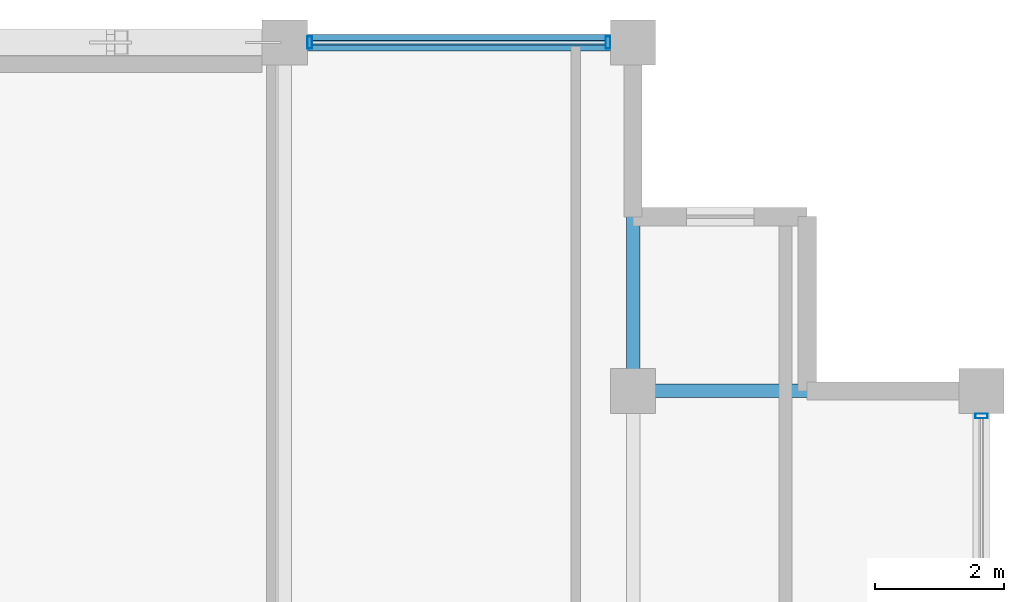
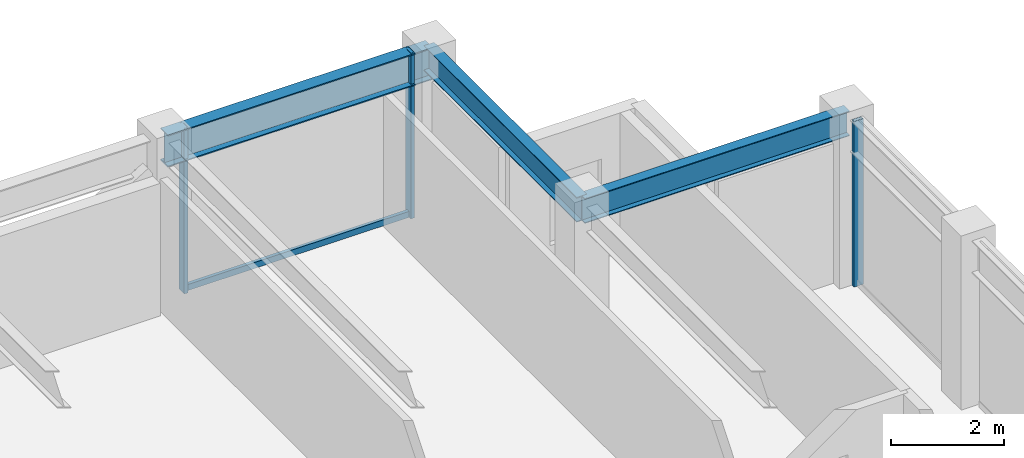
# One storey, part 22 of 31: 4 members, 3 beams, 2 elements without a shape of their own.
"""IFC4 building model written with IfcOpenShell, lengths in metres."""

import ifcopenshell
import ifcopenshell.guid

model = None  # the IFC model being written
_history = None  # IfcOwnerHistory: only IFC2X3 demands one
_inside = {}  # id of a spatial element -> (the spatial element, [elements in it])
_under = {}  # id of a project, library or spatial element -> (it, [spatial elements below it])
_declared = {}  # id of a project -> (the project, [libraries it declares])
_typed = {}  # id of a type object -> (the type object, [elements of that type])
_made_of = {}  # id of a material, layer set ... -> (it, [elements and type objects made of it])


def new_model(schema):
    """Start an empty IFC model of exactly this schema.

    Asked for "IFC4X3", IfcOpenShell would pick the latest addendum, in which some entities
    have other attributes; the version numbers below select the first issue.
    IFC2X3 requires an IfcOwnerHistory on every rooted entity: one is made here for all.
    """
    global model, _history
    if schema == "IFC4X3":
        model = ifcopenshell.file(schema_version=(4, 3, 0, 0))
    else:
        model = ifcopenshell.file(schema=schema)
    _inside.clear()
    _under.clear()
    _declared.clear()
    _typed.clear()
    _made_of.clear()
    _history = None
    if model.schema == "IFC2X3":
        org = make("IfcOrganization", Name="unknown")
        user = make(
            "IfcPersonAndOrganization",
            ThePerson=make("IfcPerson", FamilyName="unknown"),
            TheOrganization=org,
        )
        app = make(
            "IfcApplication",
            ApplicationDeveloper=org,
            Version="unknown",
            ApplicationFullName="unknown",
            ApplicationIdentifier="unknown",
        )
        _history = make(
            "IfcOwnerHistory",
            OwningUser=user,
            OwningApplication=app,
            ChangeAction="ADDED",
            CreationDate=0,
        )
    return model


def make(cls, **values):
    """One entity of the class cls with the attributes given. An attribute that is None is left unset."""
    return model.create_entity(
        cls, **{name: value for name, value in values.items() if value is not None}
    )


def rooted(cls, **values):
    """An entity with a GlobalId (a new one), such as an element, a storey or a relation."""
    return make(cls, GlobalId=ifcopenshell.guid.new(), OwnerHistory=_history, **values)


def si_unit(unit_type, name, prefix=None):
    """IfcSIUnit, for example si_unit("LENGTHUNIT", "METRE", prefix="MILLI")."""
    return make("IfcSIUnit", UnitType=unit_type, Prefix=prefix, Name=name)


def assignment(units):
    """IfcUnitAssignment: the units of a project."""
    return None if units is None else make("IfcUnitAssignment", Units=units)


def point(xyz):
    """IfcCartesianPoint."""
    return None if xyz is None else make("IfcCartesianPoint", Coordinates=xyz)


def direction(xyz):
    """IfcDirection."""
    return None if xyz is None else make("IfcDirection", DirectionRatios=xyz)


def frame(location, z_axis=None, x_axis=None):
    """IfcAxis2Placement3D, a coordinate frame: its origin and axes. An axis left out is left unset."""
    return make(
        "IfcAxis2Placement3D",
        Location=point(location),
        Axis=direction(z_axis),
        RefDirection=direction(x_axis),
    )


def frame_2d(location, x_axis=None):
    """IfcAxis2Placement2D, a coordinate frame in the plane: its origin and x axis."""
    return make(
        "IfcAxis2Placement2D", Location=point(location), RefDirection=direction(x_axis)
    )


def origin():
    """The frame at (0, 0, 0) with its axes left unset."""
    return frame((0.0, 0.0, 0.0))


def origin_2d():
    """The frame at (0, 0) in the plane with its x axis left unset."""
    return frame_2d((0.0, 0.0))


def place(relative_to, where):
    """IfcLocalPlacement: puts the frame where relative to a parent placement (None: the world)."""
    return make(
        "IfcLocalPlacement", PlacementRelTo=relative_to, RelativePlacement=where
    )


def context(
    kind, dimensions, precision=None, world=None, true_north=None, identifier=None
):
    """IfcGeometricRepresentationContext, for example the 3D "Model" context."""
    return make(
        "IfcGeometricRepresentationContext",
        ContextIdentifier=identifier,
        ContextType=kind,
        CoordinateSpaceDimension=dimensions,
        Precision=precision,
        WorldCoordinateSystem=world,
        TrueNorth=true_north,
    )


def subcontext(parent, identifier, kind, view, scale=None):
    """IfcGeometricRepresentationSubContext, for example "Body" below "Model"."""
    return make(
        "IfcGeometricRepresentationSubContext",
        ContextIdentifier=identifier,
        ContextType=kind,
        ParentContext=parent,
        TargetScale=scale,
        TargetView=view,
    )


def project(units=None, contexts=None):
    """IfcProject with its units and contexts."""
    return rooted(
        "IfcProject",
        Name="project",
        RepresentationContexts=contexts,
        UnitsInContext=assignment(units),
    )


def spatial(cls, under=None, at=None, **own):
    """A site, building, storey or space (cls), placed at a placement, below another one or the project."""
    s = rooted(cls, ObjectPlacement=at, **own)
    if under is not None:
        _under.setdefault(under.id(), (under, []))[1].append(s)
    return s


def profile(cls, at=None, kind="AREA", **sizes):
    """A parametric profile (cls). Its sizes go by their IFC names, for example OverallWidth=200.0."""
    return make(cls, ProfileType=kind, Position=at, **sizes)


def hollow_rectangle(**sizes):
    """IfcRectangleHollowProfileDef."""
    return profile("IfcRectangleHollowProfileDef", **sizes)


def i_section(**sizes):
    """IfcIShapeProfileDef."""
    return profile("IfcIShapeProfileDef", **sizes)


def extrude(swept, where, along, depth):
    """IfcExtrudedAreaSolid: the profile swept, set in the frame where, extruded along a direction by depth."""
    return make(
        "IfcExtrudedAreaSolid",
        SweptArea=swept,
        Position=where,
        ExtrudedDirection=direction(along),
        Depth=depth,
    )


def shape(context_of_items, identifier, shape_type, items):
    """IfcShapeRepresentation: the items that make up one representation, for example the "Body"."""
    return make(
        "IfcShapeRepresentation",
        ContextOfItems=context_of_items,
        RepresentationIdentifier=identifier,
        RepresentationType=shape_type,
        Items=items,
    )


def material(Name=None, Category=None):
    """IfcMaterial."""
    return make("IfcMaterial", Name=Name, Category=Category)


def layer(
    of_material, thickness, ventilated=None, Name=None, Category=None, Priority=None
):
    """IfcMaterialLayer: one layer of a wall or slab, of a material (None: an air gap)."""
    return make(
        "IfcMaterialLayer",
        Material=of_material,
        LayerThickness=thickness,
        IsVentilated=ventilated,
        Name=Name,
        Category=Category,
        Priority=Priority,
    )


def layer_set(layers, Name=None):
    """IfcMaterialLayerSet."""
    return make("IfcMaterialLayerSet", MaterialLayers=layers, LayerSetName=Name)


def material_profile(
    of_material, cross_section, Name=None, Category=None, Priority=None
):
    """IfcMaterialProfile: a cross section and its material."""
    return make(
        "IfcMaterialProfile",
        Name=Name,
        Material=of_material,
        Profile=cross_section,
        Priority=Priority,
        Category=Category,
    )


def profile_set(profiles, Name=None, composite=None):
    """IfcMaterialProfileSet."""
    return make(
        "IfcMaterialProfileSet",
        Name=Name,
        MaterialProfiles=profiles,
        CompositeProfile=composite,
    )


def made_of(thing, what):
    """Note that an element or type object is made of a material, layer set ...; save() writes the relation."""
    if what is not None:
        _made_of.setdefault(what.id(), (what, []))[1].append(thing)
    return thing


def type_object(cls, material=None, **own):
    """A type object (cls), such as IfcWallType, which elements share."""
    return made_of(rooted(cls, **own), material)


def element(
    cls,
    number,
    at=None,
    inside=None,
    cuts=None,
    type_object=None,
    material=None,
    context=None,
    identifier="Body",
    shape_type=None,
    held_by="IfcProductDefinitionShape",
    body=None,
    shapes=None,
    **own,
):
    """One element of the class cls, such as IfcWall. Its Tag is "e" and its number.

    at: its placement. inside: the storey or other place that contains it. cuts: it is an
    opening in that element (IfcRelVoidsElement). A single representation is given by context,
    identifier, shape_type and body (its items); several are given by shapes. held_by: the class
    of the entity that holds the representations. save() writes the other relations.
    """
    e = rooted(cls, Tag="e%d" % number, ObjectPlacement=at, **own)
    if body is not None:
        shapes = [shape(context, identifier, shape_type, body)]
    if shapes is not None:
        e.Representation = make(held_by, Representations=shapes)
    if inside is not None:
        _inside.setdefault(inside.id(), (inside, []))[1].append(e)
    if cuts is not None:
        rooted(
            "IfcRelVoidsElement", RelatingBuildingElement=cuts, RelatedOpeningElement=e
        )
    if type_object is not None:
        _typed.setdefault(type_object.id(), (type_object, []))[1].append(e)
    return made_of(e, material)


def aggregate(whole, parts):
    """IfcRelAggregates: a whole, such as a stair, and the parts it consists of."""
    return rooted("IfcRelAggregates", RelatingObject=whole, RelatedObjects=parts)


def save(model, path):
    """Write the relations noted so far, then the file.

    IfcRelAggregates (storeys below a building ...), IfcRelContainedInSpatialStructure (elements
    in a storey), IfcRelDefinesByType, IfcRelAssociatesMaterial and IfcRelDeclares: one each for
    every whole, place, type object, material and project.
    """
    for whole, parts in _under.values():
        aggregate(whole, parts)
    for where, things in _inside.values():
        rooted(
            "IfcRelContainedInSpatialStructure",
            RelatedElements=things,
            RelatingStructure=where,
        )
    for kind, things in _typed.values():
        rooted("IfcRelDefinesByType", RelatedObjects=things, RelatingType=kind)
    for what, things in _made_of.values():
        rooted("IfcRelAssociatesMaterial", RelatedObjects=things, RelatingMaterial=what)
    for by, libraries in _declared.values():
        rooted("IfcRelDeclares", RelatingContext=by, RelatedDefinitions=libraries)
    model.write(path)


model = new_model("IFC4")

# Units and contexts
model_context = context("Model", 3, precision=1e-05, world=origin(), true_north=direction((0.0, 1.0)))
body_context = subcontext(model_context, "Body", "Model", "MODEL_VIEW")
ifc_project = project(units=[si_unit("LENGTHUNIT", "METRE"), si_unit("AREAUNIT", "SQUARE_METRE"), si_unit("VOLUMEUNIT", "CUBIC_METRE"), si_unit("PLANEANGLEUNIT", "RADIAN"), si_unit("MASSUNIT", "GRAM", prefix="KILO")], contexts=[model_context])

# Site, building, storey
site_placement = place(None, origin())
site = spatial("IfcSite", under=ifc_project, at=site_placement, CompositionType="ELEMENT")
building_placement = place(site_placement, origin())
building = spatial("IfcBuilding", under=site, at=building_placement, Name="Surkhivell Harbour Commons", CompositionType="ELEMENT")
storey_placement = place(building_placement, frame((0.0, 0.0, 288.75)))
storey = spatial("IfcBuildingStorey", under=building, at=storey_placement, Name="L75", CompositionType="ELEMENT", Elevation=288.75)

# Beams
ifc_material_1 = material(Name="Steel S355", Category="steel")
ifc_material_profile_1 = material_profile(ifc_material_1, i_section(OverallWidth=0.2099609375, OverallDepth=0.537109375, WebThickness=0.0107421875, FlangeThickness=0.017333984375, at=origin_2d()), Name="UB533x210x101")
ifc_profile_set_1 = profile_set([ifc_material_profile_1], Name="Steel S355")
beam_type_1 = type_object("IfcBeamType", Name="BM-GRD-533B", PredefinedType="BEAM", material=ifc_profile_set_1)
for number, where, z_axis, x_axis, name in (
    (1, (10.800048828125, 20.5, 3.301513671875), (0.0, 1.0, 0.0), (-1.0, 0.0, 0.0), "L75 Floor Girder (10.8,20.5)"),
    (2, (10.800048828125, 20.5, 3.301513671875), (1.0, 0.0, 0.0), (0.0, 1.0, 0.0), "L75 Floor Girder (10.8,20.5)"),
):
    element("IfcBeam", number, at=place(storey_placement, frame(where, z_axis=z_axis, x_axis=x_axis)), inside=storey, type_object=beam_type_1, Name=name, PredefinedType="BEAM", context=body_context, shape_type="SweptSolid", body=[
        extrude(i_section(OverallWidth=0.2099609375, OverallDepth=0.537109375, WebThickness=0.0107421875, FlangeThickness=0.017333984375, at=origin_2d()), origin(), (0.0, 0.0, 1.0), 5.39990234375),
    ])
ifc_material_profile_2 = material_profile(ifc_material_1, i_section(OverallWidth=0.256103515625, OverallDepth=0.693115234375, WebThickness=0.014404296875, FlangeThickness=0.023681640625, at=origin_2d()), Name="UB686x254x170")
ifc_profile_set_2 = profile_set([ifc_material_profile_2], Name="Steel S355")
beam_type_2 = type_object("IfcBeamType", Name="BM-SPN-686", PredefinedType="SPANDREL", material=ifc_profile_set_2)
beam_placement = place(storey_placement, frame((5.39990234375, 25.89990234375, 3.223388671875), z_axis=(1.0, 0.0, 0.0), x_axis=(0.0, 1.0, 0.0)))
element("IfcBeam", 3, at=beam_placement, inside=storey, type_object=beam_type_2, Name="L75 Tube Spandrel (5.4,25.9)", PredefinedType="SPANDREL", context=body_context, shape_type="SweptSolid", body=[
    extrude(i_section(OverallWidth=0.256103515625, OverallDepth=0.693115234375, WebThickness=0.014404296875, FlangeThickness=0.023681640625, at=origin_2d()), origin(), (0.0, 0.0, 1.0), 5.400146484375),
])

# Curtain wall, member
ifc_material_2 = material(Name="Anodised pale-metal aluminium and insulated glazing", Category="aluminium")
ifc_layer = layer(ifc_material_2, 0.175048828125)
ifc_layer_set = layer_set([ifc_layer], Name="Anodised pale-metal aluminium and insulated glazing")
curtain_wall_type = type_object("IfcCurtainWallType", Name="CW-SYS-Z4", PredefinedType="NOTDEFINED", material=ifc_layer_set)
curtain_wall_1_placement = place(storey_placement, origin())
curtain_wall_1 = element("IfcCurtainWall", 4, at=curtain_wall_1_placement, inside=storey, type_object=curtain_wall_type, Name="L75 Curtain Wall CW-L75-E02", PredefinedType="NOTDEFINED")
ifc_material_3 = material(Name="Anodised pale-metal aluminium alloy 6063-T6", Category="aluminium")
ifc_material_profile_3 = material_profile(ifc_material_3, hollow_rectangle(XDim=0.074951171875, YDim=0.18994140625, WallThickness=0.00390625, at=origin_2d()), Name="ALU-MULL-75x190")
ifc_profile_set_3 = profile_set([ifc_material_profile_3], Name="Anodised pale-metal aluminium alloy 6063-T6")
member_type_1 = type_object("IfcMemberType", Name="CWM-190", PredefinedType="MULLION", material=ifc_profile_set_3)
member_1_placement = place(storey_placement, frame((16.199951171875, 20.110595703125, 0.0), z_axis=(0.0, 0.0, 1.0), x_axis=(0.0, 1.0, 0.0)))
member_1 = element("IfcMember", 5, at=member_1_placement, type_object=member_type_1, Name="CW-Z4 mullion 6", PredefinedType="MULLION", context=body_context, shape_type="SweptSolid", body=[
    extrude(hollow_rectangle(XDim=0.074951171875, YDim=0.18994140625, WallThickness=0.00390625, at=origin_2d()), origin(), (0.0, 0.0, 1.0), 3.570068359375),
])
aggregate(curtain_wall_1, [member_1])

# Curtain wall, members
curtain_wall_2_placement = place(storey_placement, origin())
curtain_wall_2 = element("IfcCurtainWall", 6, at=curtain_wall_2_placement, inside=storey, type_object=curtain_wall_type, Name="L75 Curtain Wall CW-L75-E07S1", PredefinedType="NOTDEFINED")
member_2_placement = place(storey_placement, frame((10.410400390625, 25.89990234375, 0.0), z_axis=(0.0, 0.0, 1.0), x_axis=(-1.0, 0.0, 0.0)))
member_2 = element("IfcMember", 7, at=member_2_placement, type_object=member_type_1, Name="CW-Z4 mullion 1", PredefinedType="MULLION", context=body_context, shape_type="SweptSolid", body=[
    extrude(hollow_rectangle(XDim=0.074951171875, YDim=0.18994140625, WallThickness=0.00390625, at=origin_2d()), origin(), (0.0, 0.0, 1.0), 3.570068359375),
])
member_3_placement = place(storey_placement, frame((5.78955078125, 25.89990234375, 0.0), z_axis=(0.0, 0.0, 1.0), x_axis=(-1.0, 0.0, 0.0)))
member_3 = element("IfcMember", 8, at=member_3_placement, type_object=member_type_1, Name="CW-Z4 mullion 2", PredefinedType="MULLION", context=body_context, shape_type="SweptSolid", body=[
    extrude(hollow_rectangle(XDim=0.074951171875, YDim=0.18994140625, WallThickness=0.00390625, at=origin_2d()), origin(), (0.0, 0.0, 1.0), 3.570068359375),
])
ifc_material_4 = material(Name="Champagne anodised aluminium alloy 6063-T6", Category="aluminium")
ifc_material_profile_4 = material_profile(ifc_material_4, hollow_rectangle(XDim=0.070068359375, YDim=0.1298828125, WallThickness=0.00341796875, at=origin_2d()), Name="ALU-TRAN-70x130")
ifc_profile_set_4 = profile_set([ifc_material_profile_4], Name="Champagne anodised aluminium alloy 6063-T6")
member_type_2 = type_object("IfcMemberType", Name="CWT-130", PredefinedType="USERDEFINED", material=ifc_profile_set_4)
member_4_placement = place(storey_placement, frame((10.373046875, 25.89990234375, 0.06494140625), z_axis=(-1.0, 0.0, 0.0), x_axis=(0.0, -1.0, 0.0)))
member_4 = element("IfcMember", 9, at=member_4_placement, type_object=member_type_2, Name="CW-Z4 transom 1.1", ObjectType="TRANSOM", PredefinedType="USERDEFINED", context=body_context, shape_type="SweptSolid", body=[
    extrude(hollow_rectangle(XDim=0.070068359375, YDim=0.1298828125, WallThickness=0.00341796875, at=origin_2d()), origin(), (0.0, 0.0, 1.0), 4.546142578125),
])
aggregate(curtain_wall_2, [member_2, member_3, member_4])

save(model, "model.ifc")
